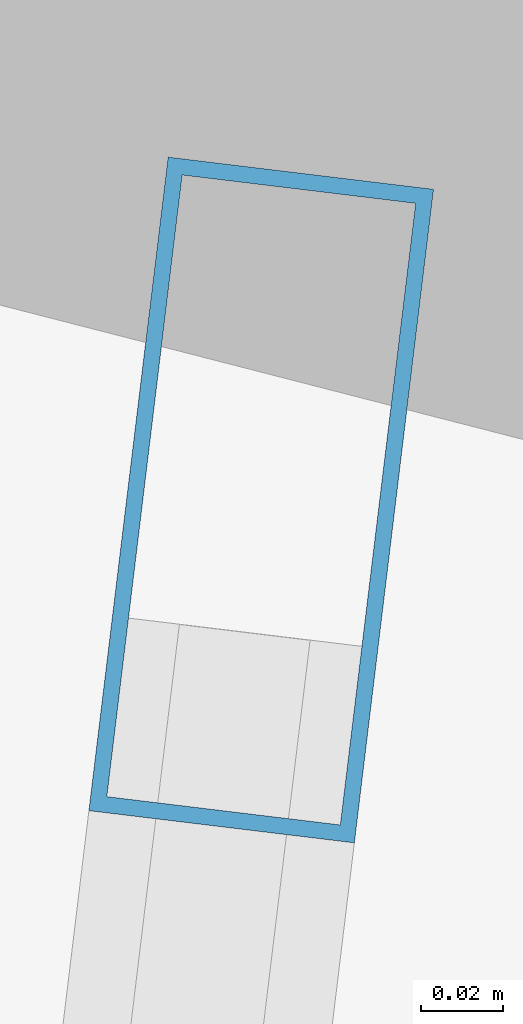
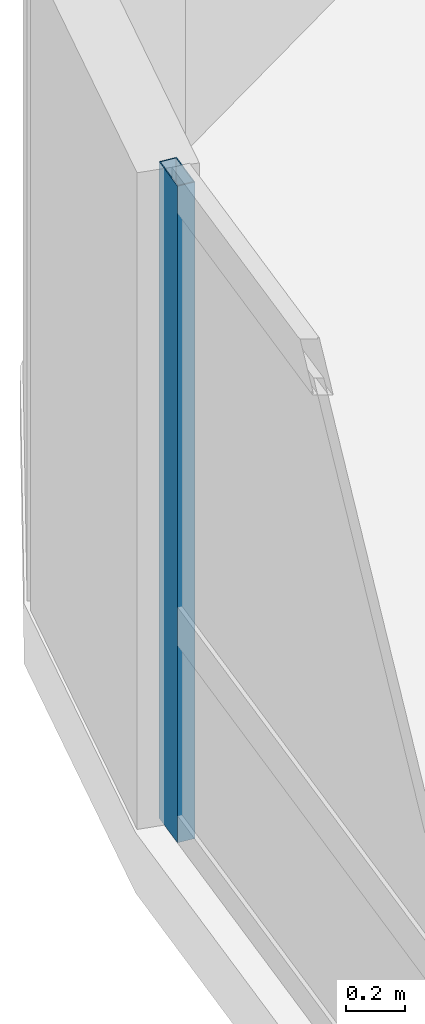
# One storey, part 12 of 26: 1 member, 1 element without a shape of its own.
"""IFC4 building model written with IfcOpenShell, lengths in metres."""

from ifc_helpers import new_model, si_unit, direction, frame, origin, origin_2d, place, context, subcontext, project, spatial, hollow_rectangle, extrude, material, layer, layer_set, material_profile, profile_set, type_object, element, aggregate, save


model = new_model("IFC4")

# Units and contexts
model_context = context("Model", 3, precision=1e-05, world=origin(), true_north=direction((0.0, 1.0)))
body_context = subcontext(model_context, "Body", "Model", "MODEL_VIEW")
ifc_project = project(units=[si_unit("LENGTHUNIT", "METRE"), si_unit("AREAUNIT", "SQUARE_METRE"), si_unit("VOLUMEUNIT", "CUBIC_METRE"), si_unit("PLANEANGLEUNIT", "RADIAN"), si_unit("MASSUNIT", "GRAM", prefix="KILO")], contexts=[model_context])

# Site, building, storey
site_placement = place(None, origin())
site = spatial("IfcSite", under=ifc_project, at=site_placement, CompositionType="ELEMENT")
building_placement = place(site_placement, origin())
building = spatial("IfcBuilding", under=site, at=building_placement, Name="Varnelok Gate Tower", CompositionType="ELEMENT")
storey_placement = place(building_placement, frame((0.0, 0.0, 143.89990234375)))
storey = spatial("IfcBuildingStorey", under=building, at=storey_placement, Name="L36", CompositionType="ELEMENT", Elevation=143.89990234375)

# Curtain wall, member
ifc_material = material(Name="Anodized Aluminum Alloy 6063-T6", Category="aluminium")
ifc_layer = layer(ifc_material, 0.179931640625)
ifc_layer_set = layer_set([ifc_layer], Name="Anodized Aluminum Alloy 6063-T6")
curtain_wall_type = type_object("IfcCurtainWallType", Name="CW3-HOTEL-VISION", PredefinedType="USERDEFINED", material=ifc_layer_set)
curtain_wall_placement = place(storey_placement, origin())
curtain_wall = element("IfcCurtainWall", 1, at=curtain_wall_placement, inside=storey, type_object=curtain_wall_type, Name="L36 West End Vision Curtain Wall", ObjectType="UNITISED CURTAIN WALL", PredefinedType="USERDEFINED")
ifc_material_profile = material_profile(ifc_material, hollow_rectangle(XDim=0.06494140625, YDim=0.159912109375, WallThickness=0.00390625, at=origin_2d()), Name="ALU160X65X4")
ifc_profile_set = profile_set([ifc_material_profile], Name="Anodized Aluminum Alloy 6063-T6")
member_type = type_object("IfcMemberType", Name="CW-MULL-160", PredefinedType="MULLION", material=ifc_profile_set)
member_placement = place(storey_placement, frame((4.57177734375, 47.596923828125, 0.0), z_axis=(0.0, 0.0, 1.0), x_axis=(-0.99273188146, 0.120347046212, 0.0)))
member = element("IfcMember", 2, at=member_placement, type_object=member_type, Name="CW3 mullion 6", PredefinedType="MULLION", context=body_context, shape_type="SweptSolid", body=[
    extrude(hollow_rectangle(XDim=0.06494140625, YDim=0.159912109375, WallThickness=0.00390625, at=origin_2d()), origin(), (0.0, 0.0, 1.0), 2.72998046875),
])
aggregate(curtain_wall, [member])

save(model, "model.ifc")
